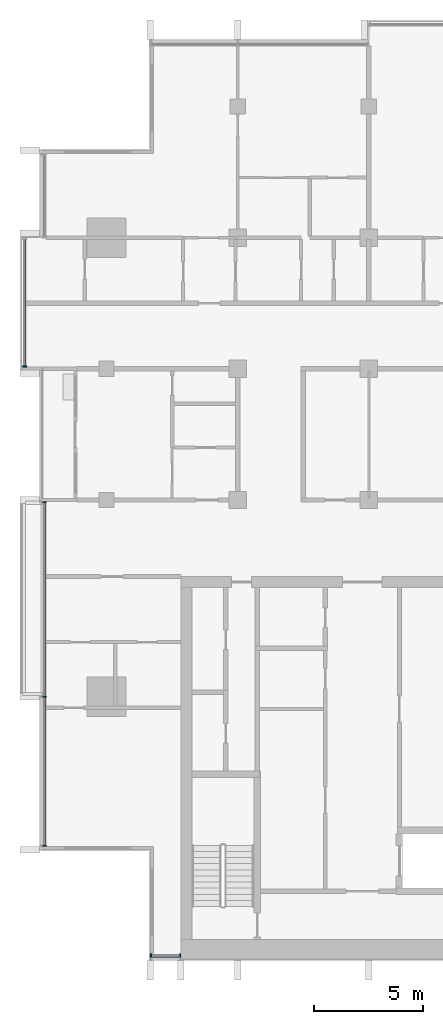
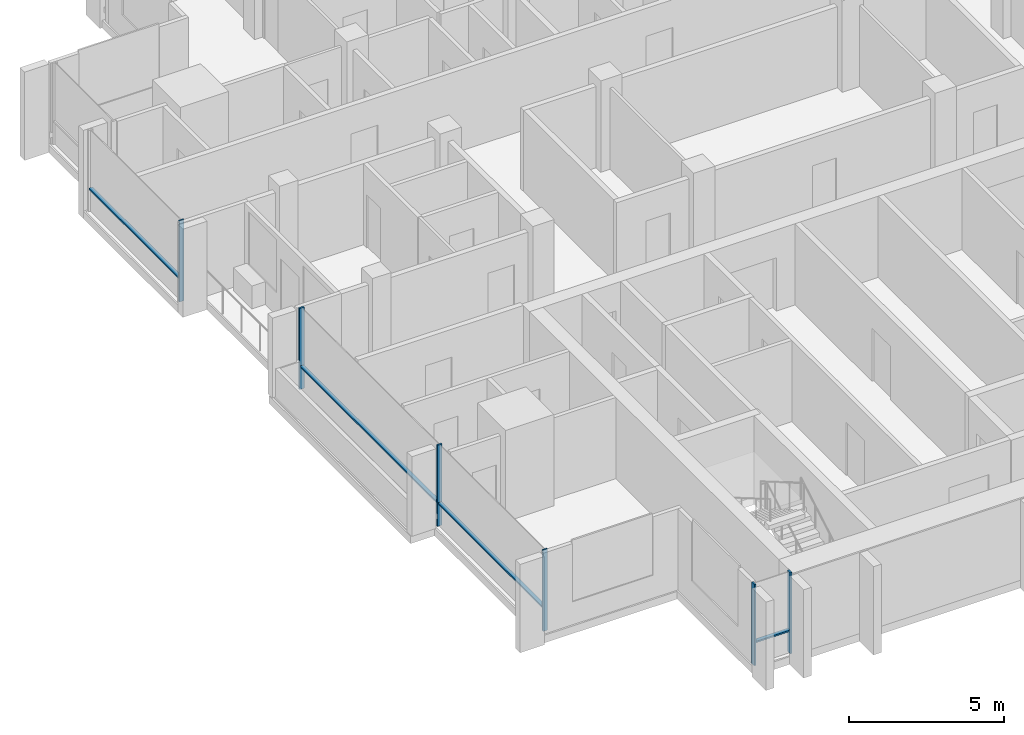
# One storey, part 2 of 16: 10 members, 3 elements without a shape of their own.
"""IFC4 building model written with IfcOpenShell, lengths in metres."""

import ifcopenshell
import ifcopenshell.guid

model = None  # the IFC model being written
_history = None  # IfcOwnerHistory: only IFC2X3 demands one
_inside = {}  # id of a spatial element -> (the spatial element, [elements in it])
_under = {}  # id of a project, library or spatial element -> (it, [spatial elements below it])
_declared = {}  # id of a project -> (the project, [libraries it declares])
_typed = {}  # id of a type object -> (the type object, [elements of that type])
_made_of = {}  # id of a material, layer set ... -> (it, [elements and type objects made of it])


def new_model(schema):
    """Start an empty IFC model of exactly this schema.

    Asked for "IFC4X3", IfcOpenShell would pick the latest addendum, in which some entities
    have other attributes; the version numbers below select the first issue.
    IFC2X3 requires an IfcOwnerHistory on every rooted entity: one is made here for all.
    """
    global model, _history
    if schema == "IFC4X3":
        model = ifcopenshell.file(schema_version=(4, 3, 0, 0))
    else:
        model = ifcopenshell.file(schema=schema)
    _inside.clear()
    _under.clear()
    _declared.clear()
    _typed.clear()
    _made_of.clear()
    _history = None
    if model.schema == "IFC2X3":
        org = make("IfcOrganization", Name="unknown")
        user = make(
            "IfcPersonAndOrganization",
            ThePerson=make("IfcPerson", FamilyName="unknown"),
            TheOrganization=org,
        )
        app = make(
            "IfcApplication",
            ApplicationDeveloper=org,
            Version="unknown",
            ApplicationFullName="unknown",
            ApplicationIdentifier="unknown",
        )
        _history = make(
            "IfcOwnerHistory",
            OwningUser=user,
            OwningApplication=app,
            ChangeAction="ADDED",
            CreationDate=0,
        )
    return model


def make(cls, **values):
    """One entity of the class cls with the attributes given. An attribute that is None is left unset."""
    return model.create_entity(
        cls, **{name: value for name, value in values.items() if value is not None}
    )


def rooted(cls, **values):
    """An entity with a GlobalId (a new one), such as an element, a storey or a relation."""
    return make(cls, GlobalId=ifcopenshell.guid.new(), OwnerHistory=_history, **values)


def si_unit(unit_type, name, prefix=None):
    """IfcSIUnit, for example si_unit("LENGTHUNIT", "METRE", prefix="MILLI")."""
    return make("IfcSIUnit", UnitType=unit_type, Prefix=prefix, Name=name)


def assignment(units):
    """IfcUnitAssignment: the units of a project."""
    return None if units is None else make("IfcUnitAssignment", Units=units)


def point(xyz):
    """IfcCartesianPoint."""
    return None if xyz is None else make("IfcCartesianPoint", Coordinates=xyz)


def direction(xyz):
    """IfcDirection."""
    return None if xyz is None else make("IfcDirection", DirectionRatios=xyz)


def frame(location, z_axis=None, x_axis=None):
    """IfcAxis2Placement3D, a coordinate frame: its origin and axes. An axis left out is left unset."""
    return make(
        "IfcAxis2Placement3D",
        Location=point(location),
        Axis=direction(z_axis),
        RefDirection=direction(x_axis),
    )


def frame_2d(location, x_axis=None):
    """IfcAxis2Placement2D, a coordinate frame in the plane: its origin and x axis."""
    return make(
        "IfcAxis2Placement2D", Location=point(location), RefDirection=direction(x_axis)
    )


def origin():
    """The frame at (0, 0, 0) with its axes left unset."""
    return frame((0.0, 0.0, 0.0))


def origin_2d():
    """The frame at (0, 0) in the plane with its x axis left unset."""
    return frame_2d((0.0, 0.0))


def place(relative_to, where):
    """IfcLocalPlacement: puts the frame where relative to a parent placement (None: the world)."""
    return make(
        "IfcLocalPlacement", PlacementRelTo=relative_to, RelativePlacement=where
    )


def context(
    kind, dimensions, precision=None, world=None, true_north=None, identifier=None
):
    """IfcGeometricRepresentationContext, for example the 3D "Model" context."""
    return make(
        "IfcGeometricRepresentationContext",
        ContextIdentifier=identifier,
        ContextType=kind,
        CoordinateSpaceDimension=dimensions,
        Precision=precision,
        WorldCoordinateSystem=world,
        TrueNorth=true_north,
    )


def subcontext(parent, identifier, kind, view, scale=None):
    """IfcGeometricRepresentationSubContext, for example "Body" below "Model"."""
    return make(
        "IfcGeometricRepresentationSubContext",
        ContextIdentifier=identifier,
        ContextType=kind,
        ParentContext=parent,
        TargetScale=scale,
        TargetView=view,
    )


def project(units=None, contexts=None):
    """IfcProject with its units and contexts."""
    return rooted(
        "IfcProject",
        Name="project",
        RepresentationContexts=contexts,
        UnitsInContext=assignment(units),
    )


def spatial(cls, under=None, at=None, **own):
    """A site, building, storey or space (cls), placed at a placement, below another one or the project."""
    s = rooted(cls, ObjectPlacement=at, **own)
    if under is not None:
        _under.setdefault(under.id(), (under, []))[1].append(s)
    return s


def profile(cls, at=None, kind="AREA", **sizes):
    """A parametric profile (cls). Its sizes go by their IFC names, for example OverallWidth=200.0."""
    return make(cls, ProfileType=kind, Position=at, **sizes)


def rectangle(**sizes):
    """IfcRectangleProfileDef."""
    return profile("IfcRectangleProfileDef", **sizes)


def extrude(swept, where, along, depth):
    """IfcExtrudedAreaSolid: the profile swept, set in the frame where, extruded along a direction by depth."""
    return make(
        "IfcExtrudedAreaSolid",
        SweptArea=swept,
        Position=where,
        ExtrudedDirection=direction(along),
        Depth=depth,
    )


def shape(context_of_items, identifier, shape_type, items):
    """IfcShapeRepresentation: the items that make up one representation, for example the "Body"."""
    return make(
        "IfcShapeRepresentation",
        ContextOfItems=context_of_items,
        RepresentationIdentifier=identifier,
        RepresentationType=shape_type,
        Items=items,
    )


def material(Name=None, Category=None):
    """IfcMaterial."""
    return make("IfcMaterial", Name=Name, Category=Category)


def material_profile(
    of_material, cross_section, Name=None, Category=None, Priority=None
):
    """IfcMaterialProfile: a cross section and its material."""
    return make(
        "IfcMaterialProfile",
        Name=Name,
        Material=of_material,
        Profile=cross_section,
        Priority=Priority,
        Category=Category,
    )


def profile_set(profiles, Name=None, composite=None):
    """IfcMaterialProfileSet."""
    return make(
        "IfcMaterialProfileSet",
        Name=Name,
        MaterialProfiles=profiles,
        CompositeProfile=composite,
    )


def made_of(thing, what):
    """Note that an element or type object is made of a material, layer set ...; save() writes the relation."""
    if what is not None:
        _made_of.setdefault(what.id(), (what, []))[1].append(thing)
    return thing


def type_object(cls, material=None, **own):
    """A type object (cls), such as IfcWallType, which elements share."""
    return made_of(rooted(cls, **own), material)


def element(
    cls,
    number,
    at=None,
    inside=None,
    cuts=None,
    type_object=None,
    material=None,
    context=None,
    identifier="Body",
    shape_type=None,
    held_by="IfcProductDefinitionShape",
    body=None,
    shapes=None,
    **own,
):
    """One element of the class cls, such as IfcWall. Its Tag is "e" and its number.

    at: its placement. inside: the storey or other place that contains it. cuts: it is an
    opening in that element (IfcRelVoidsElement). A single representation is given by context,
    identifier, shape_type and body (its items); several are given by shapes. held_by: the class
    of the entity that holds the representations. save() writes the other relations.
    """
    e = rooted(cls, Tag="e%d" % number, ObjectPlacement=at, **own)
    if body is not None:
        shapes = [shape(context, identifier, shape_type, body)]
    if shapes is not None:
        e.Representation = make(held_by, Representations=shapes)
    if inside is not None:
        _inside.setdefault(inside.id(), (inside, []))[1].append(e)
    if cuts is not None:
        rooted(
            "IfcRelVoidsElement", RelatingBuildingElement=cuts, RelatedOpeningElement=e
        )
    if type_object is not None:
        _typed.setdefault(type_object.id(), (type_object, []))[1].append(e)
    return made_of(e, material)


def aggregate(whole, parts):
    """IfcRelAggregates: a whole, such as a stair, and the parts it consists of."""
    return rooted("IfcRelAggregates", RelatingObject=whole, RelatedObjects=parts)


def save(model, path):
    """Write the relations noted so far, then the file.

    IfcRelAggregates (storeys below a building ...), IfcRelContainedInSpatialStructure (elements
    in a storey), IfcRelDefinesByType, IfcRelAssociatesMaterial and IfcRelDeclares: one each for
    every whole, place, type object, material and project.
    """
    for whole, parts in _under.values():
        aggregate(whole, parts)
    for where, things in _inside.values():
        rooted(
            "IfcRelContainedInSpatialStructure",
            RelatedElements=things,
            RelatingStructure=where,
        )
    for kind, things in _typed.values():
        rooted("IfcRelDefinesByType", RelatedObjects=things, RelatingType=kind)
    for what, things in _made_of.values():
        rooted("IfcRelAssociatesMaterial", RelatedObjects=things, RelatingMaterial=what)
    for by, libraries in _declared.values():
        rooted("IfcRelDeclares", RelatingContext=by, RelatedDefinitions=libraries)
    model.write(path)


model = new_model("IFC4")

# Units and contexts
model_context = context("Model", 3, precision=1e-05, world=origin(), true_north=direction((0.0, 1.0)))
body_context = subcontext(model_context, "Body", "Model", "MODEL_VIEW")
ifc_project = project(units=[si_unit("LENGTHUNIT", "METRE"), si_unit("AREAUNIT", "SQUARE_METRE"), si_unit("VOLUMEUNIT", "CUBIC_METRE"), si_unit("PLANEANGLEUNIT", "RADIAN"), si_unit("MASSUNIT", "GRAM", prefix="KILO")], contexts=[model_context])

# Site, building, storey
site_placement = place(None, origin())
site = spatial("IfcSite", under=ifc_project, at=site_placement, CompositionType="ELEMENT")
building_placement = place(site_placement, origin())
building = spatial("IfcBuilding", under=site, at=building_placement, Name="Finial Court Residences", CompositionType="ELEMENT")
storey_placement = place(building_placement, frame((0.0, 0.0, 295.10009765625)))
storey = spatial("IfcBuildingStorey", under=building, at=storey_placement, Name="L75", CompositionType="ELEMENT", Elevation=295.10009765625)

# Curtain wall, members
ifc_material = material(Name="Bronze anodised aluminium", Category="aluminium")
curtain_wall_type = type_object("IfcCurtainWallType", Name="Unitised curtain wall, upper zones", PredefinedType="NOTDEFINED", material=ifc_material)
curtain_wall_1_placement = place(storey_placement, origin())
curtain_wall_1 = element("IfcCurtainWall", 1, at=curtain_wall_1_placement, inside=storey, type_object=curtain_wall_type, Name="E-L75-CW-S7", PredefinedType="NOTDEFINED")
ifc_material_profile_1 = material_profile(ifc_material, rectangle(XDim=0.175048828125, YDim=0.06005859375, at=origin_2d()), Name="CW2 mullion 60 x 175")
ifc_profile_set_1 = profile_set([ifc_material_profile_1], Name="Bronze anodised aluminium")
member_type_1 = type_object("IfcMemberType", Name="CW2 mullion 60 x 175", PredefinedType="MULLION", material=ifc_profile_set_1)
member_1_placement = place(storey_placement, frame((-14.469970703125, -25.35009765625, 0.0), z_axis=(0.0, 0.0, 1.0), x_axis=(0.0, 1.0, 0.0)))
member_1 = element("IfcMember", 2, at=member_1_placement, type_object=member_type_1, Name="CW2 mullion 1", PredefinedType="MULLION", context=body_context, shape_type="SweptSolid", body=[
    extrude(rectangle(XDim=0.175048828125, YDim=0.06005859375, at=origin_2d()), origin(), (0.0, 0.0, 1.0), 3.199951171875),
])
member_2_placement = place(storey_placement, frame((-13.1298828125, -25.35009765625, 0.0), z_axis=(0.0, 0.0, 1.0), x_axis=(0.0, 1.0, 0.0)))
member_2 = element("IfcMember", 3, at=member_2_placement, type_object=member_type_1, Name="CW2 mullion 2", PredefinedType="MULLION", context=body_context, shape_type="SweptSolid", body=[
    extrude(rectangle(XDim=0.175048828125, YDim=0.06005859375, at=origin_2d()), origin(), (0.0, 0.0, 1.0), 3.199951171875),
])

curtain_wall_2_placement = place(storey_placement, origin())
curtain_wall_2 = element("IfcCurtainWall", 4, at=curtain_wall_2_placement, inside=storey, type_object=curtain_wall_type, Name="E-L75-CW-W9", PredefinedType="NOTDEFINED")
member_3_placement = place(storey_placement, frame((-19.35009765625, -20.320068359375, 0.0), z_axis=(0.0, 0.0, 1.0), x_axis=(-1.0, 0.0, 0.0)))
member_3 = element("IfcMember", 5, at=member_3_placement, type_object=member_type_1, Name="CW2 mullion 1", PredefinedType="MULLION", context=body_context, shape_type="SweptSolid", body=[
    extrude(rectangle(XDim=0.175048828125, YDim=0.06005859375, at=origin_2d()), origin(), (0.0, 0.0, 1.0), 3.199951171875),
])
member_4_placement = place(storey_placement, frame((-19.35009765625, -13.5, 0.0), z_axis=(0.0, 0.0, 1.0), x_axis=(-1.0, 0.0, 0.0)))
member_4 = element("IfcMember", 6, at=member_4_placement, type_object=member_type_1, Name="CW2 mullion 2", PredefinedType="MULLION", context=body_context, shape_type="SweptSolid", body=[
    extrude(rectangle(XDim=0.175048828125, YDim=0.06005859375, at=origin_2d()), origin(), (0.0, 0.0, 1.0), 3.199951171875),
])
member_5_placement = place(storey_placement, frame((-19.35009765625, -4.60498046875, 0.0), z_axis=(0.0, 0.0, 1.0), x_axis=(-1.0, 0.0, 0.0)))
member_5 = element("IfcMember", 7, at=member_5_placement, type_object=member_type_1, Name="CW2 mullion 3", PredefinedType="MULLION", context=body_context, shape_type="SweptSolid", body=[
    extrude(rectangle(XDim=0.175048828125, YDim=0.06005859375, at=origin_2d()), origin(), (0.0, 0.0, 1.0), 3.199951171875),
])

# Curtain wall, member
curtain_wall_3_placement = place(storey_placement, origin())
curtain_wall_3 = element("IfcCurtainWall", 8, at=curtain_wall_3_placement, inside=storey, type_object=curtain_wall_type, Name="E-L75-CW-W10", PredefinedType="NOTDEFINED")
member_6_placement = place(storey_placement, frame((-20.25, 1.60498046875, 0.0), z_axis=(0.0, 0.0, 1.0), x_axis=(-1.0, 0.0, 0.0)))
member_6 = element("IfcMember", 9, at=member_6_placement, type_object=member_type_1, Name="CW2 mullion 1", PredefinedType="MULLION", context=body_context, shape_type="SweptSolid", body=[
    extrude(rectangle(XDim=0.175048828125, YDim=0.06005859375, at=origin_2d()), origin(), (0.0, 0.0, 1.0), 3.199951171875),
])

# Member
ifc_material_profile_2 = material_profile(ifc_material, rectangle(XDim=0.139892578125, YDim=0.06005859375, at=origin_2d()), Name="CW2 transom 60 x 140")
ifc_profile_set_2 = profile_set([ifc_material_profile_2], Name="Bronze anodised aluminium")
member_type_2 = type_object("IfcMemberType", Name="CW2 transom 60 x 140", PredefinedType="USERDEFINED", material=ifc_profile_set_2)
member_7_placement = place(storey_placement, frame((-14.43994140625, -25.35009765625, 0.89990234375), z_axis=(1.0, 0.0, 0.0), x_axis=(0.0, 1.0, 0.0)))
member_7 = element("IfcMember", 10, at=member_7_placement, type_object=member_type_2, Name="CW2 transom 1.1", ObjectType="TRANSOM", PredefinedType="USERDEFINED", context=body_context, shape_type="SweptSolid", body=[
    extrude(rectangle(XDim=0.139892578125, YDim=0.06005859375, at=origin_2d()), origin(), (0.0, 0.0, 1.0), 1.280029296875),
])

aggregate(curtain_wall_1, [member_1, member_2, member_7])

member_8_placement = place(storey_placement, frame((-19.35009765625, -20.2900390625, 0.89990234375), z_axis=(0.0, 1.0, 0.0), x_axis=(-1.0, 0.0, 0.0)))
member_8 = element("IfcMember", 11, at=member_8_placement, type_object=member_type_2, Name="CW2 transom 1.1", ObjectType="TRANSOM", PredefinedType="USERDEFINED", context=body_context, shape_type="SweptSolid", body=[
    extrude(rectangle(XDim=0.139892578125, YDim=0.06005859375, at=origin_2d()), origin(), (0.0, 0.0, 1.0), 6.760009765625),
])

member_9_placement = place(storey_placement, frame((-19.35009765625, -13.469970703125, 0.89990234375), z_axis=(0.0, 1.0, 0.0), x_axis=(-1.0, 0.0, 0.0)))
member_9 = element("IfcMember", 12, at=member_9_placement, type_object=member_type_2, Name="CW2 transom 2.1", ObjectType="TRANSOM", PredefinedType="USERDEFINED", context=body_context, shape_type="SweptSolid", body=[
    extrude(rectangle(XDim=0.139892578125, YDim=0.06005859375, at=origin_2d()), origin(), (0.0, 0.0, 1.0), 8.8349609375),
])

aggregate(curtain_wall_2, [member_3, member_4, member_5, member_8, member_9])

member_10_placement = place(storey_placement, frame((-20.25, 1.635009765625, 0.89990234375), z_axis=(0.0, 1.0, 0.0), x_axis=(-1.0, 0.0, 0.0)))
member_10 = element("IfcMember", 13, at=member_10_placement, type_object=member_type_2, Name="CW2 transom 1.1", ObjectType="TRANSOM", PredefinedType="USERDEFINED", context=body_context, shape_type="SweptSolid", body=[
    extrude(rectangle(XDim=0.139892578125, YDim=0.06005859375, at=origin_2d()), origin(), (0.0, 0.0, 1.0), 5.804931640625),
])

aggregate(curtain_wall_3, [member_6, member_10])

save(model, "model.ifc")
